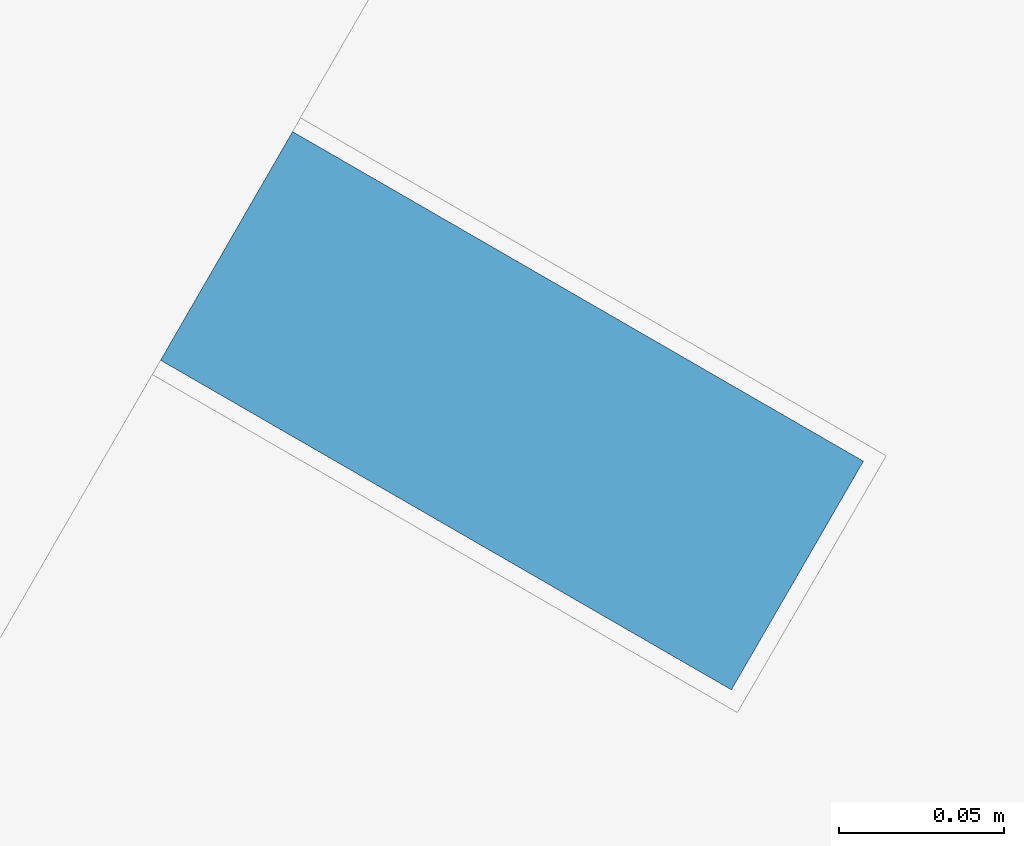
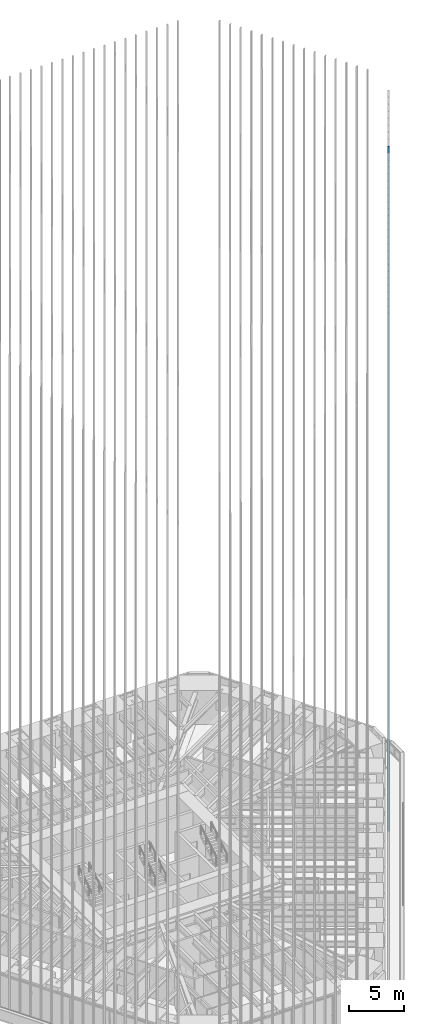
# One storey, part 109 of 238: 1 member, 1 element without a shape of its own.
"""IFC4 building model written with IfcOpenShell, lengths in metres."""

from ifc_helpers import new_model, si_unit, direction, frame, origin, origin_2d, place, context, subcontext, project, spatial, rectangle, extrude, material, material_profile, profile_set, type_object, element, aggregate, save


model = new_model("IFC4")

# Units and contexts
model_context = context("Model", 3, precision=1e-05, world=origin(), true_north=direction((0.0, 1.0)))
body_context = subcontext(model_context, "Body", "Model", "MODEL_VIEW")
ifc_project = project(units=[si_unit("LENGTHUNIT", "METRE"), si_unit("AREAUNIT", "SQUARE_METRE"), si_unit("VOLUMEUNIT", "CUBIC_METRE"), si_unit("PLANEANGLEUNIT", "RADIAN"), si_unit("MASSUNIT", "GRAM", prefix="KILO")], contexts=[model_context])

# Site, building, storey
site_placement = place(None, origin())
site = spatial("IfcSite", under=ifc_project, at=site_placement, CompositionType="ELEMENT")
building_placement = place(site_placement, origin())
building = spatial("IfcBuilding", under=site, at=building_placement, Name="Sandreach Pilgrim Tower", CompositionType="ELEMENT")
storey_placement = place(building_placement, frame((0.0, 0.0, 96.800048828125)))
storey = spatial("IfcBuildingStorey", under=building, at=storey_placement, Name="L23", CompositionType="ELEMENT", Elevation=96.800048828125)

# Curtain wall, member
ifc_material_1 = material(Name="Aluminium framed curtain wall", Category="aluminium")
curtain_wall_type = type_object("IfcCurtainWallType", Name="Hotel tower curtain wall", PredefinedType="NOTDEFINED", material=ifc_material_1)
curtain_wall_placement = place(storey_placement, origin())
curtain_wall = element("IfcCurtainWall", 1, at=curtain_wall_placement, inside=storey, type_object=curtain_wall_type, Name="CW-2 L23 SE", PredefinedType="NOTDEFINED")
ifc_material_2 = material(Name="Extruded terracotta on aluminium core", Category="masonry")
ifc_material_profile = material_profile(ifc_material_2, rectangle(XDim=0.080078125, YDim=0.199951171875, at=origin_2d()), Name="TBE 80X200")
ifc_profile_set = profile_set([ifc_material_profile], Name="Extruded terracotta on aluminium core")
member_type = type_object("IfcMemberType", Name="Terracotta baguette east", PredefinedType="USERDEFINED", material=ifc_profile_set)
member_placement = place(storey_placement, frame((24.2294921875, -3.82080078125, 0.0), z_axis=(0.0, 0.0, 1.0), x_axis=(-0.5, -0.866025403784, 0.0)))
member = element("IfcMember", 2, at=member_placement, type_object=member_type, Name="Baguette Z2 SE09", ObjectType="BAGUETTE", PredefinedType="USERDEFINED", context=body_context, shape_type="SweptSolid", body=[
    extrude(rectangle(XDim=0.080078125, YDim=0.199951171875, at=origin_2d()), origin(), (0.0, 0.0, 1.0), 75.83984375),
])
aggregate(curtain_wall, [member])

save(model, "model.ifc")
